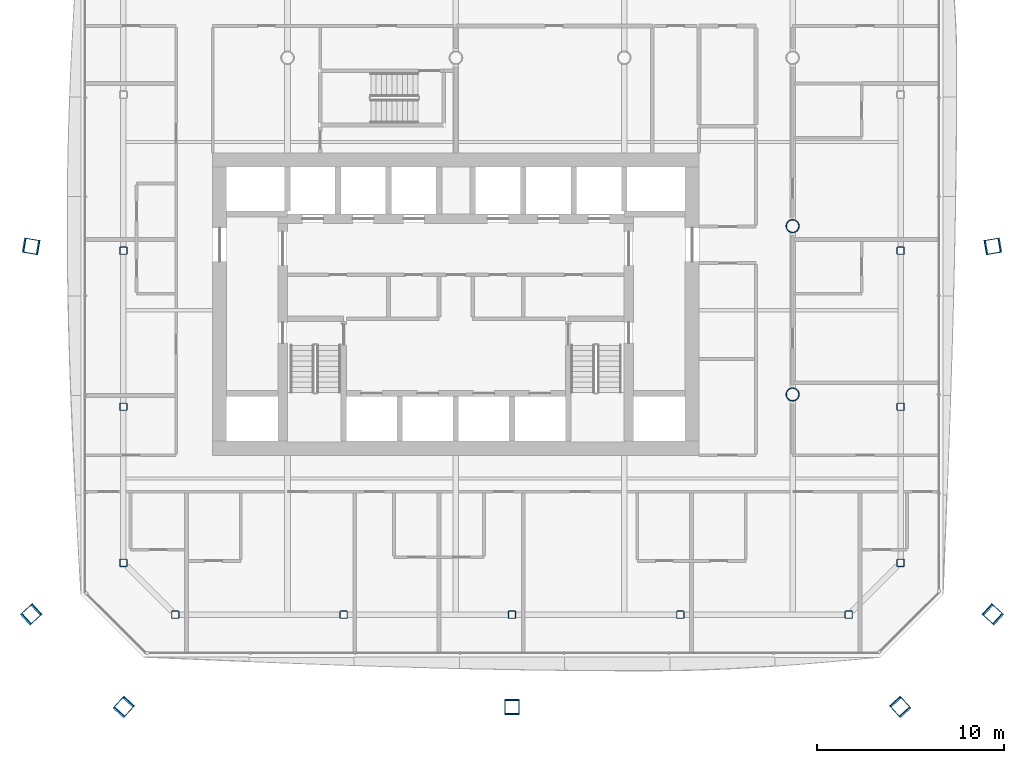
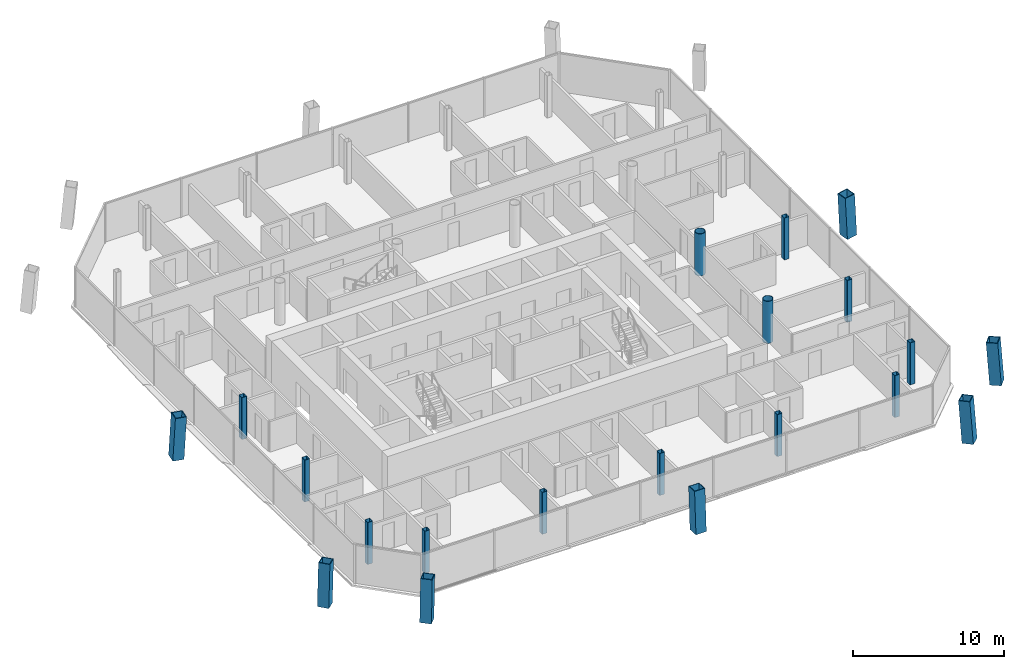
# One storey, part 1 of 21: 20 columns.
"""IFC4 building model written with IfcOpenShell, lengths in metres."""

from ifc_helpers import new_model, si_unit, direction, frame, origin, origin_2d, place, context, subcontext, project, spatial, hollow_rectangle, hollow_circle, extrude, material, material_profile, profile_set, type_object, element, save


model = new_model("IFC4")

# Units and contexts
model_context = context("Model", 3, precision=1e-05, world=origin(), true_north=direction((0.0, 1.0)))
body_context = subcontext(model_context, "Body", "Model", "MODEL_VIEW")
ifc_project = project(units=[si_unit("LENGTHUNIT", "METRE"), si_unit("AREAUNIT", "SQUARE_METRE"), si_unit("VOLUMEUNIT", "CUBIC_METRE"), si_unit("PLANEANGLEUNIT", "RADIAN"), si_unit("MASSUNIT", "GRAM", prefix="KILO")], contexts=[model_context])

# Site, building, storey
site_placement = place(None, origin())
site = spatial("IfcSite", under=ifc_project, at=site_placement, CompositionType="ELEMENT")
building_placement = place(site_placement, origin())
building = spatial("IfcBuilding", under=site, at=building_placement, Name="Tskaro Facet Tower", CompositionType="ELEMENT")
storey_placement = place(building_placement, frame((0.0, 0.0, 135.10009765625)))
storey = spatial("IfcBuildingStorey", under=building, at=storey_placement, Name="L32", CompositionType="ELEMENT", Elevation=135.10009765625)

# Columns
ifc_material_1 = material(Name="Steel S460M", Category="steel")
ifc_material_profile_1 = material_profile(ifc_material_1, hollow_rectangle(XDim=0.800048828125, YDim=0.800048828125, WallThickness=0.050048828125, at=origin_2d()), Name="BOX 800x800x50")
ifc_profile_set_1 = profile_set([ifc_material_profile_1], Name="Steel S460M")
column_type_1 = type_object("IfcColumnType", Name="BOX 800x800x50 mega column", PredefinedType="COLUMN", material=ifc_profile_set_1)
column_1_placement = place(storey_placement, frame((-17.783935546875, -25.737060546875, 0.0), z_axis=(0.048986800555, 0.0537135971, 0.997354070959), x_axis=(-0.738869281565, 0.673848784787, 0.0)))
element("IfcColumn", 1, at=column_1_placement, inside=storey, type_object=column_type_1, Name="BOX 800x800x50 MC01/3", PredefinedType="COLUMN", context=body_context, shape_type="SweptSolid", body=[
    extrude(hollow_rectangle(XDim=0.800048828125, YDim=0.800048828125, WallThickness=0.050048828125, at=origin_2d()), origin(), (0.0, 0.0, 1.0), 3.408935546875),
])
column_2_placement = place(storey_placement, frame((3.0, -25.737060546875, 0.0), z_axis=(0.0, 0.053778161763, 0.998552907621), x_axis=(-1.0, 0.0, 0.0)))
element("IfcColumn", 2, at=column_2_placement, inside=storey, type_object=column_type_1, Name="BOX 800x800x50 MC02/3", PredefinedType="COLUMN", context=body_context, shape_type="SweptSolid", body=[
    extrude(hollow_rectangle(XDim=0.800048828125, YDim=0.800048828125, WallThickness=0.050048828125, at=origin_2d()), origin(), (0.0, 0.0, 1.0), 3.40478515625),
])
for number, where, z_axis, x_axis, name in (
    (3, (23.783935546875, -25.737060546875, 0.0), (-0.048986800555, 0.0537135971, 0.997354070959), (-0.738869281565, -0.673848784787, 0.0), "BOX 800x800x50 MC03/3"),
    (4, (28.737060546875, -20.783935546875, 0.0), (-0.0537135971, 0.048986800555, 0.997354070959), (-0.673848784787, -0.738869281565, 0.0), "BOX 800x800x50 MC04/3"),
):
    element("IfcColumn", number, at=place(storey_placement, frame(where, z_axis=z_axis, x_axis=x_axis)), inside=storey, type_object=column_type_1, Name=name, PredefinedType="COLUMN", context=body_context, shape_type="SweptSolid", body=[
        extrude(hollow_rectangle(XDim=0.800048828125, YDim=0.800048828125, WallThickness=0.050048828125, at=origin_2d()), origin(), (0.0, 0.0, 1.0), 3.408935546875),
    ])
for number, where, z_axis, x_axis, name in (
    (5, (28.737060546875, -1.075927734375, 0.0), (-0.0537760703, -0.008819275529, 0.998514073332), (0.161838042552, -0.986817332632, 0.0), "BOX 800x800x50 MC05/3"),
    (6, (-22.737060546875, -1.075927734375, 0.0), (0.0537760703, -0.008819275529, 0.998514073332), (0.161838042552, 0.986817332632, 0.0), "BOX 800x800x50 MC11/3"),
):
    element("IfcColumn", number, at=place(storey_placement, frame(where, z_axis=z_axis, x_axis=x_axis)), inside=storey, type_object=column_type_1, Name=name, PredefinedType="COLUMN", context=body_context, shape_type="SweptSolid", body=[
        extrude(hollow_rectangle(XDim=0.800048828125, YDim=0.800048828125, WallThickness=0.050048828125, at=origin_2d()), origin(), (0.0, 0.0, 1.0), 3.405029296875),
    ])
column_3_placement = place(storey_placement, frame((-22.737060546875, -20.783935546875, 0.0), z_axis=(0.0537135971, 0.048986800555, 0.997354070959), x_axis=(-0.673848784787, 0.738869281565, 0.0)))
element("IfcColumn", 7, at=column_3_placement, inside=storey, type_object=column_type_1, Name="BOX 800x800x50 MC12/3", PredefinedType="COLUMN", context=body_context, shape_type="SweptSolid", body=[
    extrude(hollow_rectangle(XDim=0.800048828125, YDim=0.800048828125, WallThickness=0.050048828125, at=origin_2d()), origin(), (0.0, 0.0, 1.0), 3.408935546875),
])
ifc_material_2 = material(Name="Steel S355J2H", Category="steel")
ifc_material_profile_2 = material_profile(ifc_material_2, hollow_circle(Radius=0.35546875, WallThickness=0.031982421875, at=origin_2d()), Name="CHS 711x32")
ifc_profile_set_2 = profile_set([ifc_material_profile_2], Name="Steel S355J2H")
column_type_2 = type_object("IfcColumnType", Name="CHS 711x32 interior column", PredefinedType="COLUMN", material=ifc_profile_set_2)
for number, where, z_axis, x_axis, name in (
    (8, (18.0, -9.0, 0.0), (0.0, 0.0, 1.0), (1.0, 0.0, 0.0), "CHS 711x32 C6C/3"),
    (9, (18.0, 0.0, 0.0), (0.0, 0.0, 1.0), (1.0, 0.0, 0.0), "CHS 711x32 C6D/3"),
):
    element("IfcColumn", number, at=place(storey_placement, frame(where, z_axis=z_axis, x_axis=x_axis)), inside=storey, type_object=column_type_2, Name=name, PredefinedType="COLUMN", context=body_context, shape_type="SweptSolid", body=[
        extrude(hollow_circle(Radius=0.35546875, WallThickness=0.031982421875, at=origin_2d()), origin(), (0.0, 0.0, 1.0), 3.39990234375),
    ])
ifc_material_profile_3 = material_profile(ifc_material_2, hollow_rectangle(XDim=0.39990234375, YDim=0.39990234375, WallThickness=0.02001953125, InnerFilletRadius=0.030029296875, OuterFilletRadius=0.050048828125, at=origin_2d()), Name="SHS 400x400x20")
ifc_profile_set_3 = profile_set([ifc_material_profile_3], Name="Steel S355J2H")
column_type_3 = type_object("IfcColumnType", Name="SHS 400x400x20 ring column", PredefinedType="COLUMN", material=ifc_profile_set_3)
for number, where, z_axis, x_axis, name in (
    (10, (-14.9990234375, -20.77392578125, 0.0), (0.0, 0.0, 1.0), (1.0, 0.0, 0.0), "SHS 400x400x20 RS-1/3"),
    (11, (-6.0, -20.77392578125, 0.0), (0.0, 0.0, 1.0), (1.0, 0.0, 0.0), "SHS 400x400x20 RS-2/3"),
    (12, (3.0, -20.77392578125, 0.0), (0.0, 0.0, 1.0), (1.0, 0.0, 0.0), "SHS 400x400x20 RS-3/3"),
    (13, (12.0, -20.77392578125, 0.0), (0.0, 0.0, 1.0), (1.0, 0.0, 0.0), "SHS 400x400x20 RS-4/3"),
    (14, (20.9990234375, -20.77392578125, 0.0), (0.0, 0.0, 1.0), (1.0, 0.0, 0.0), "SHS 400x400x20 RSE-1/3"),
    (15, (23.77392578125, -17.9990234375, 0.0), (0.0, 0.0, 1.0), (1.0, 0.0, 0.0), "SHS 400x400x20 RE-1/3"),
    (16, (23.77392578125, -9.656982421875, 0.0), (0.0, 0.0, 1.0), (1.0, 0.0, 0.0), "SHS 400x400x20 RE-2/3"),
    (17, (23.77392578125, -1.31591796875, 0.0), (0.0, 0.0, 1.0), (1.0, 0.0, 0.0), "SHS 400x400x20 RE-3/3"),
    (18, (-17.77392578125, -1.31494140625, 0.0), (0.0, 0.0, 1.0), (1.0, 0.0, 0.0), "SHS 400x400x20 RW-3/3"),
    (19, (-17.77392578125, -9.656982421875, 0.0), (0.0, 0.0, 1.0), (1.0, 0.0, 0.0), "SHS 400x400x20 RW-4/3"),
    (20, (-17.77392578125, -17.9990234375, 0.0), (0.0, 0.0, 1.0), (1.0, 0.0, 0.0), "SHS 400x400x20 RSW-1/3"),
):
    element("IfcColumn", number, at=place(storey_placement, frame(where, z_axis=z_axis, x_axis=x_axis)), inside=storey, type_object=column_type_3, Name=name, PredefinedType="COLUMN", context=body_context, shape_type="SweptSolid", body=[
        extrude(hollow_rectangle(XDim=0.39990234375, YDim=0.39990234375, WallThickness=0.02001953125, InnerFilletRadius=0.030029296875, OuterFilletRadius=0.050048828125, at=origin_2d()), origin(), (0.0, 0.0, 1.0), 3.39990234375),
    ])

save(model, "model.ifc")
